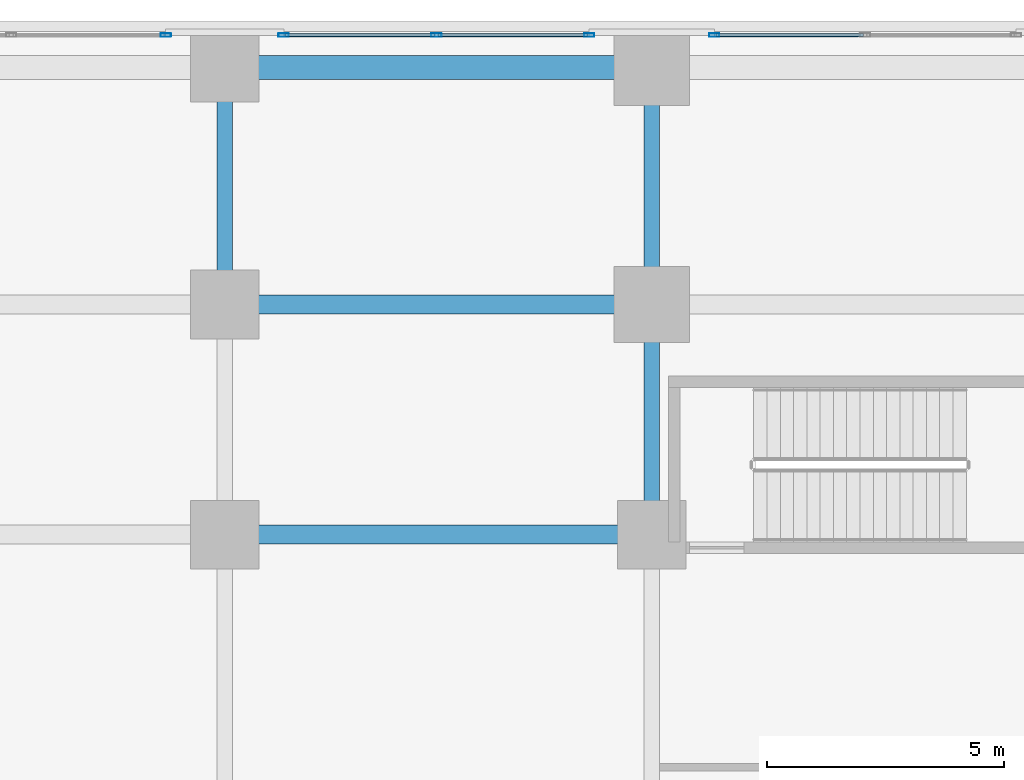
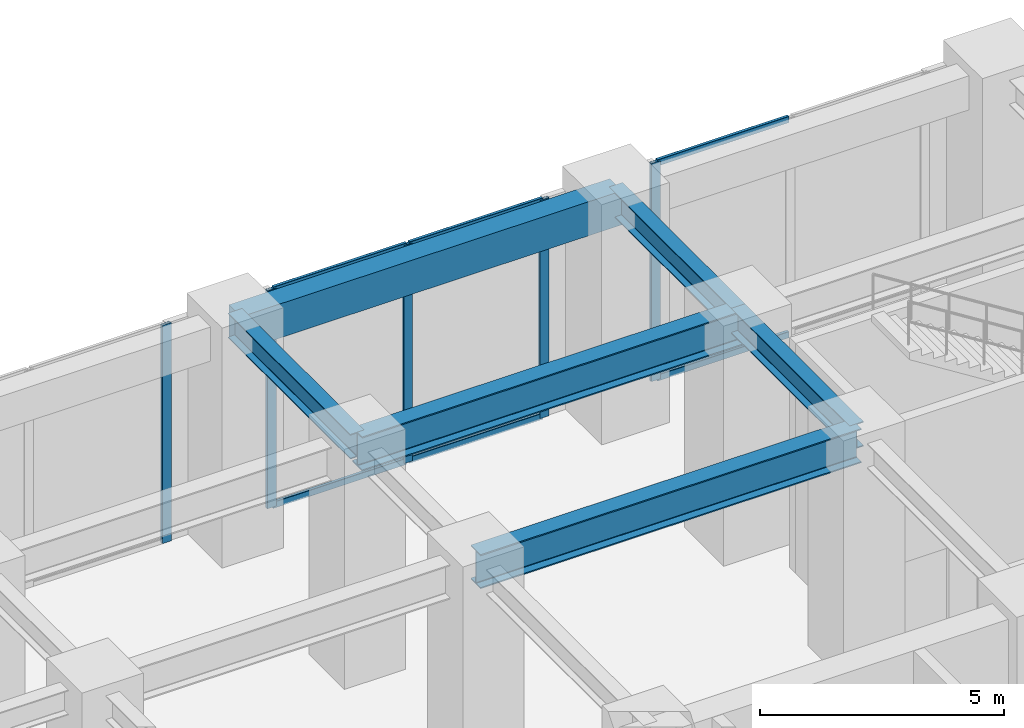
# One storey, part 18 of 34: 11 members, 6 beams, 3 elements without a shape of their own.
"""IFC4 building model written with IfcOpenShell, lengths in metres."""

from ifc_helpers import new_model, si_unit, direction, frame, origin, origin_2d, place, context, subcontext, project, spatial, rectangle, hollow_rectangle, i_section, extrude, source, transform, mapped, material, material_profile, profile_set, type_object, element, aggregate, save


model = new_model("IFC4")

# Units and contexts
model_context = context("Model", 3, precision=1e-05, world=origin(), true_north=direction((0.0, 1.0)))
body_context = subcontext(model_context, "Body", "Model", "MODEL_VIEW")
ifc_project = project(units=[si_unit("LENGTHUNIT", "METRE"), si_unit("AREAUNIT", "SQUARE_METRE"), si_unit("VOLUMEUNIT", "CUBIC_METRE"), si_unit("PLANEANGLEUNIT", "RADIAN"), si_unit("MASSUNIT", "GRAM", prefix="KILO")], contexts=[model_context])

# Site, building, storey
site_placement = place(None, origin())
site = spatial("IfcSite", under=ifc_project, at=site_placement, CompositionType="ELEMENT")
building_placement = place(site_placement, origin())
building = spatial("IfcBuilding", under=site, at=building_placement, Name="Torre Montelarca", CompositionType="ELEMENT")
storey_placement = place(building_placement, frame((0.0, 0.0, 6.0)))
storey = spatial("IfcBuildingStorey", under=building, at=storey_placement, Name="L02", CompositionType="ELEMENT", Elevation=6.0)

# Beams
ifc_material_1 = material(Name="Concrete C55/67", Category="concrete")
ifc_material_profile_1 = material_profile(ifc_material_1, rectangle(XDim=0.5, YDim=0.85009765625, at=origin_2d()), Name="RCB500X850", Category="concrete")
ifc_profile_set_1 = profile_set([ifc_material_profile_1], Name="Concrete C55/67")
beam_type_1 = type_object("IfcBeamType", Name="BM-SP-RC850-EXT", PredefinedType="SPANDREL", material=ifc_profile_set_1)
shared_shape_1 = source(origin(), body_context, "Body", "SweptSolid", [
    extrude(rectangle(XDim=0.5, YDim=0.85009765625, at=origin_2d()), origin(), (0.0, 0.0, 1.0), 9.0),
])
beam_1_placement = place(storey_placement, frame((18.0, 57.0, 5.31494140625), z_axis=(1.0, 0.0, 0.0), x_axis=(0.0, 1.0, 0.0)))
element("IfcBeam", 1, at=beam_1_placement, inside=storey, type_object=beam_type_1, Name="L02 Grid Girder X 18.0-27.0 at Y=57.0", PredefinedType="SPANDREL", context=body_context, shape_type="MappedRepresentation", body=[
    mapped(shared_shape_1, transform((0.0, 0.0, 0.0), scale=1.0)),
])
ifc_material_2 = material(Name="Steel ASTM A992 Grade 50", Category="steel")
ifc_material_profile_2 = material_profile(ifc_material_2, i_section(OverallWidth=0.39990234375, OverallDepth=0.85498046875, WebThickness=0.018310546875, FlangeThickness=0.029296875, FilletRadius=0.02001953125, at=origin_2d()), Name="W840X299", Category="steel")
ifc_profile_set_2 = profile_set([ifc_material_profile_2], Name="Steel ASTM A992 Grade 50")
beam_type_2 = type_object("IfcBeamType", Name="BM-G-W840", PredefinedType="BEAM", material=ifc_profile_set_2)
shared_shape_2 = source(origin(), body_context, "Body", "SweptSolid", [
    extrude(i_section(OverallWidth=0.39990234375, OverallDepth=0.85498046875, WebThickness=0.018310546875, FlangeThickness=0.029296875, FilletRadius=0.02001953125, at=origin_2d()), origin(), (0.0, 0.0, 1.0), 9.0),
])
for number, where, z_axis, x_axis, name in (
    (2, (18.0, 47.14990234375, 5.31201171875), (1.0, 0.0, 0.0), (0.0, 1.0, 0.0), "L02 Grid Girder X 18.0-27.0 at Y=47.1"),
    (3, (18.0, 52.0, 5.31201171875), (1.0, 0.0, 0.0), (0.0, 1.0, 0.0), "L02 Grid Girder X 18.0-27.0 at Y=52.0"),
):
    element("IfcBeam", number, at=place(storey_placement, frame(where, z_axis=z_axis, x_axis=x_axis)), inside=storey, type_object=beam_type_2, Name=name, PredefinedType="BEAM", context=body_context, shape_type="MappedRepresentation", body=[
        mapped(shared_shape_2, transform((0.0, 0.0, 0.0), scale=1.0)),
    ])
ifc_material_profile_3 = material_profile(ifc_material_2, i_section(OverallWidth=0.326904296875, OverallDepth=0.6220703125, WebThickness=0.015380859375, FlangeThickness=0.0244140625, FilletRadius=0.014892578125, at=origin_2d()), Name="W610X195", Category="steel")
ifc_profile_set_3 = profile_set([ifc_material_profile_3], Name="Steel ASTM A992 Grade 50")
beam_type_3 = type_object("IfcBeamType", Name="BM-G-W610H", PredefinedType="BEAM", material=ifc_profile_set_3)
shared_shape_3 = source(origin(), body_context, "Body", "SweptSolid", [
    extrude(i_section(OverallWidth=0.326904296875, OverallDepth=0.6220703125, WebThickness=0.015380859375, FlangeThickness=0.0244140625, FilletRadius=0.014892578125, at=origin_2d()), origin(), (0.0, 0.0, 1.0), 4.85009765625),
])
beam_2_placement = place(storey_placement, frame((27.0, 47.14990234375, 5.428955078125), z_axis=(0.0, 1.0, 0.0), x_axis=(-1.0, 0.0, 0.0)))
element("IfcBeam", 4, at=beam_2_placement, inside=storey, type_object=beam_type_3, Name="L02 Grid Girder Y 47.1-52.0 at X=27.0", PredefinedType="BEAM", context=body_context, shape_type="MappedRepresentation", body=[
    mapped(shared_shape_3, transform((0.0, 0.0, 0.0), scale=1.0)),
])
shared_shape_4 = source(origin(), body_context, "Body", "SweptSolid", [
    extrude(i_section(OverallWidth=0.326904296875, OverallDepth=0.6220703125, WebThickness=0.015380859375, FlangeThickness=0.0244140625, FilletRadius=0.014892578125, at=origin_2d()), origin(), (0.0, 0.0, 1.0), 5.0),
])
for number, where, z_axis, x_axis, name in (
    (5, (18.0, 52.0, 5.428955078125), (0.0, 1.0, 0.0), (-1.0, 0.0, 0.0), "L02 Grid Girder Y 52.0-57.0 at X=18.0"),
    (6, (27.0, 52.0, 5.428955078125), (0.0, 1.0, 0.0), (-1.0, 0.0, 0.0), "L02 Grid Girder Y 52.0-57.0 at X=27.0"),
):
    element("IfcBeam", number, at=place(storey_placement, frame(where, z_axis=z_axis, x_axis=x_axis)), inside=storey, type_object=beam_type_3, Name=name, PredefinedType="BEAM", context=body_context, shape_type="MappedRepresentation", body=[
        mapped(shared_shape_4, transform((0.0, 0.0, 0.0), scale=1.0)),
    ])

# Curtain wall, member
ifc_material_3 = material(Name="Insulated low-E laminated glass", Category="glass")
curtain_wall_type = type_object("IfcCurtainWallType", Name="CW-SYS-POD2", PredefinedType="USERDEFINED", material=ifc_material_3)
curtain_wall_1_placement = place(storey_placement, origin())
curtain_wall_1 = element("IfcCurtainWall", 7, at=curtain_wall_1_placement, inside=storey, type_object=curtain_wall_type, Name="L02 Curtain Wall Run CW-T3-L02-E08-B1", ObjectType="UNITISED GLAZING", PredefinedType="USERDEFINED")
ifc_material_4 = material(Name="Anodised aluminium AA 6063-T6", Category="aluminium")
ifc_material_profile_4 = material_profile(ifc_material_4, hollow_rectangle(XDim=0.074951171875, YDim=0.219970703125, WallThickness=0.0048828125, InnerFilletRadius=0.0048828125, OuterFilletRadius=0.010009765625, at=origin_2d()), Name="ALU75X220X5", Category="aluminium")
ifc_profile_set_4 = profile_set([ifc_material_profile_4], Name="Anodised aluminium AA 6063-T6")
member_type_1 = type_object("IfcMemberType", Name="CWM-ALU220", PredefinedType="MULLION", material=ifc_profile_set_4)
shared_shape_5 = source(origin(), body_context, "Body", "SweptSolid", [
    extrude(hollow_rectangle(XDim=0.074951171875, YDim=0.219970703125, WallThickness=0.0048828125, InnerFilletRadius=0.0048828125, OuterFilletRadius=0.010009765625, at=origin_2d()), origin(), (0.0, 0.0, 1.0), 5.449951171875),
])
member_1_placement = place(storey_placement, frame((28.3173828125, 57.679931640625, 0.0), z_axis=(0.0, 0.0, 1.0), x_axis=(0.0, -1.0, 0.0)))
member_1 = element("IfcMember", 8, at=member_1_placement, type_object=member_type_1, Name="CW mullion 3", PredefinedType="MULLION", context=body_context, shape_type="MappedRepresentation", body=[
    mapped(shared_shape_5, transform((0.0, 0.0, 0.0), scale=1.0)),
])

# Curtain wall, members
curtain_wall_2_placement = place(storey_placement, origin())
curtain_wall_2 = element("IfcCurtainWall", 9, at=curtain_wall_2_placement, inside=storey, type_object=curtain_wall_type, Name="L02 Curtain Wall Run CW-T3-L02-E08-B2", ObjectType="UNITISED GLAZING", PredefinedType="USERDEFINED")
member_2_placement = place(storey_placement, frame((25.6826171875, 57.679931640625, 0.0), z_axis=(0.0, 0.0, 1.0), x_axis=(0.0, -1.0, 0.0)))
member_2 = element("IfcMember", 10, at=member_2_placement, type_object=member_type_1, Name="CW mullion 1", PredefinedType="MULLION", context=body_context, shape_type="MappedRepresentation", body=[
    mapped(shared_shape_5, transform((0.0, 0.0, 0.0), scale=1.0)),
])
member_3_placement = place(storey_placement, frame((22.46240234375, 57.679931640625, 0.0), z_axis=(0.0, 0.0, 1.0), x_axis=(0.0, -1.0, 0.0)))
member_3 = element("IfcMember", 11, at=member_3_placement, type_object=member_type_1, Name="CW mullion 2", PredefinedType="MULLION", context=body_context, shape_type="MappedRepresentation", body=[
    mapped(shared_shape_5, transform((0.0, 0.0, 0.0), scale=1.0)),
])
member_4_placement = place(storey_placement, frame((19.242431640625, 57.679931640625, 0.0), z_axis=(0.0, 0.0, 1.0), x_axis=(0.0, -1.0, 0.0)))
member_4 = element("IfcMember", 12, at=member_4_placement, type_object=member_type_1, Name="CW mullion 3", PredefinedType="MULLION", context=body_context, shape_type="MappedRepresentation", body=[
    mapped(shared_shape_5, transform((0.0, 0.0, 0.0), scale=1.0)),
])

# Curtain wall, member
curtain_wall_3_placement = place(storey_placement, origin())
curtain_wall_3 = element("IfcCurtainWall", 13, at=curtain_wall_3_placement, inside=storey, type_object=curtain_wall_type, Name="L02 Curtain Wall Run CW-T3-L02-E08-B3", ObjectType="UNITISED GLAZING", PredefinedType="USERDEFINED")
member_5_placement = place(storey_placement, frame((16.757568359375, 57.679931640625, 0.0), z_axis=(0.0, 0.0, 1.0), x_axis=(0.0, -1.0, 0.0)))
member_5 = element("IfcMember", 14, at=member_5_placement, type_object=member_type_1, Name="CW mullion 1", PredefinedType="MULLION", context=body_context, shape_type="MappedRepresentation", body=[
    mapped(shared_shape_5, transform((0.0, 0.0, 0.0), scale=1.0)),
])
aggregate(curtain_wall_3, [member_5])

# Member
ifc_material_profile_5 = material_profile(ifc_material_4, hollow_rectangle(XDim=0.074951171875, YDim=0.159912109375, WallThickness=0.0048828125, InnerFilletRadius=0.0048828125, OuterFilletRadius=0.010009765625, at=origin_2d()), Name="ALU75X160X5", Category="aluminium")
ifc_profile_set_5 = profile_set([ifc_material_profile_5], Name="Anodised aluminium AA 6063-T6")
member_type_2 = type_object("IfcMemberType", Name="CWT-ALU160", PredefinedType="USERDEFINED", material=ifc_profile_set_5)
shared_shape_6 = source(origin(), body_context, "Body", "SweptSolid", [
    extrude(hollow_rectangle(XDim=0.074951171875, YDim=0.159912109375, WallThickness=0.0048828125, InnerFilletRadius=0.0048828125, OuterFilletRadius=0.010009765625, at=origin_2d()), origin(), (0.0, 0.0, 1.0), 3.14501953125),
])
member_6_placement = place(storey_placement, frame((25.64501953125, 57.679931640625, 0.03759765625), z_axis=(-1.0, 0.0, 0.0), x_axis=(0.0, -1.0, 0.0)))
member_6 = element("IfcMember", 15, at=member_6_placement, type_object=member_type_2, Name="CW transom 1.1", ObjectType="TRANSOM", PredefinedType="USERDEFINED", context=body_context, shape_type="MappedRepresentation", body=[
    mapped(shared_shape_6, transform((0.0, 0.0, 0.0), scale=1.0)),
])

member_7_placement = place(storey_placement, frame((25.64501953125, 57.679931640625, 5.41259765625), z_axis=(-1.0, 0.0, 0.0), x_axis=(0.0, -1.0, 0.0)))
member_7 = element("IfcMember", 16, at=member_7_placement, type_object=member_type_2, Name="CW transom 1.2", ObjectType="TRANSOM", PredefinedType="USERDEFINED", context=body_context, shape_type="MappedRepresentation", body=[
    mapped(shared_shape_6, transform((0.0, 0.0, 0.0), scale=1.0)),
])

member_8_placement = place(storey_placement, frame((22.425048828125, 57.679931640625, 0.03759765625), z_axis=(-1.0, 0.0, 0.0), x_axis=(0.0, -1.0, 0.0)))
member_8 = element("IfcMember", 17, at=member_8_placement, type_object=member_type_2, Name="CW transom 2.1", ObjectType="TRANSOM", PredefinedType="USERDEFINED", context=body_context, shape_type="MappedRepresentation", body=[
    mapped(shared_shape_6, transform((0.0, 0.0, 0.0), scale=1.0)),
])

member_9_placement = place(storey_placement, frame((22.425048828125, 57.679931640625, 5.41259765625), z_axis=(-1.0, 0.0, 0.0), x_axis=(0.0, -1.0, 0.0)))
member_9 = element("IfcMember", 18, at=member_9_placement, type_object=member_type_2, Name="CW transom 2.2", ObjectType="TRANSOM", PredefinedType="USERDEFINED", context=body_context, shape_type="MappedRepresentation", body=[
    mapped(shared_shape_6, transform((0.0, 0.0, 0.0), scale=1.0)),
])

aggregate(curtain_wall_2, [member_2, member_3, member_4, member_6, member_7, member_8, member_9])

shared_shape_7 = source(origin(), body_context, "Body", "SweptSolid", [
    extrude(hollow_rectangle(XDim=0.074951171875, YDim=0.159912109375, WallThickness=0.0048828125, InnerFilletRadius=0.0048828125, OuterFilletRadius=0.010009765625, at=origin_2d()), origin(), (0.0, 0.0, 1.0), 3.107421875),
])
member_10_placement = place(storey_placement, frame((31.46240234375, 57.679931640625, 0.03759765625), z_axis=(-1.0, 0.0, 0.0), x_axis=(0.0, -1.0, 0.0)))
member_10 = element("IfcMember", 19, at=member_10_placement, type_object=member_type_2, Name="CW transom 2.1", ObjectType="TRANSOM", PredefinedType="USERDEFINED", context=body_context, shape_type="MappedRepresentation", body=[
    mapped(shared_shape_7, transform((0.0, 0.0, 0.0), scale=1.0)),
])

member_11_placement = place(storey_placement, frame((31.46240234375, 57.679931640625, 5.41259765625), z_axis=(-1.0, 0.0, 0.0), x_axis=(0.0, -1.0, 0.0)))
member_11 = element("IfcMember", 20, at=member_11_placement, type_object=member_type_2, Name="CW transom 2.2", ObjectType="TRANSOM", PredefinedType="USERDEFINED", context=body_context, shape_type="MappedRepresentation", body=[
    mapped(shared_shape_7, transform((0.0, 0.0, 0.0), scale=1.0)),
])

aggregate(curtain_wall_1, [member_1, member_10, member_11])

save(model, "model.ifc")
